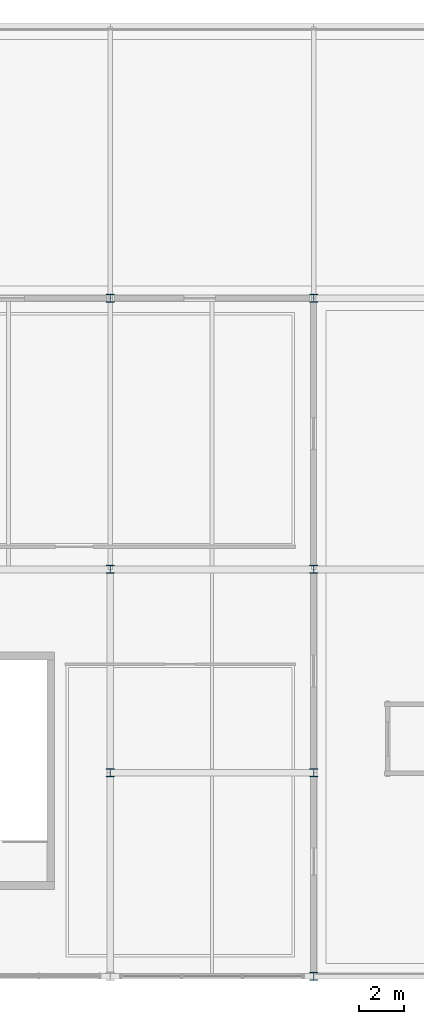
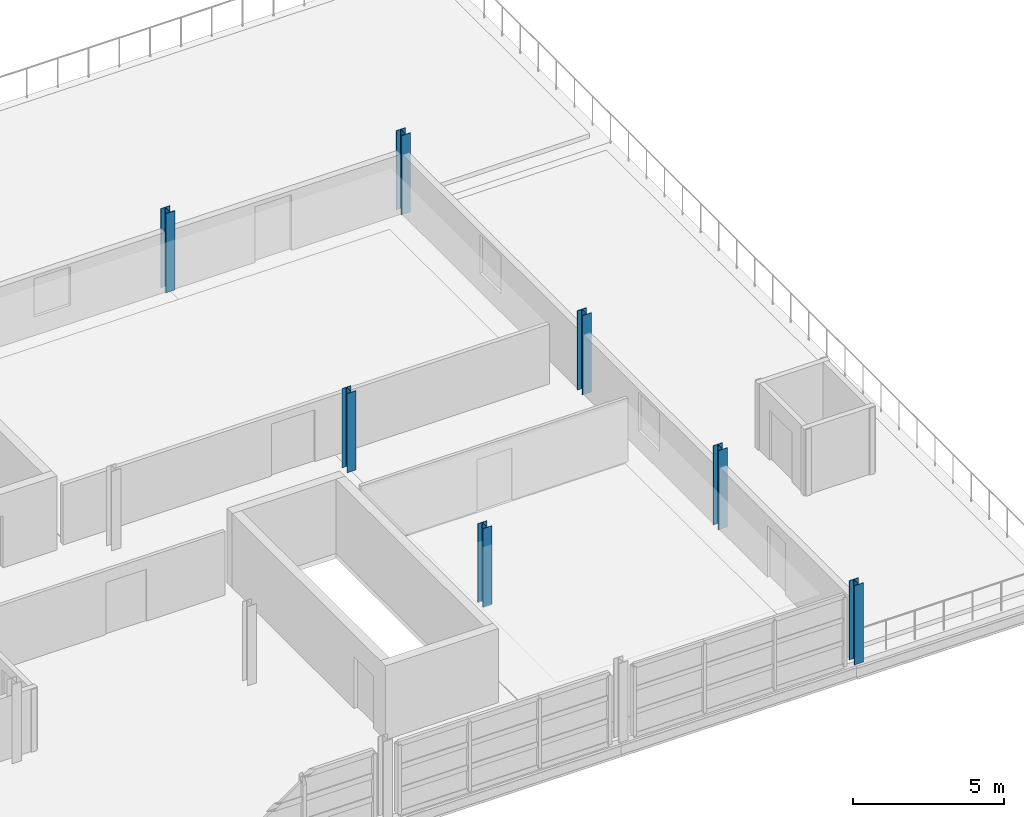
# One storey, part 3 of 86: 7 columns.
"""IFC4 building model written with IfcOpenShell, lengths in metres."""

from ifc_helpers import new_model, si_unit, direction, frame, origin, origin_2d, place, context, subcontext, project, spatial, i_section, extrude, material, material_profile, profile_set, type_object, element, save


model = new_model("IFC4")

# Units and contexts
model_context = context("Model", 3, precision=1e-05, world=origin(), true_north=direction((0.0, 1.0)))
body_context = subcontext(model_context, "Body", "Model", "MODEL_VIEW")
ifc_project = project(units=[si_unit("LENGTHUNIT", "METRE"), si_unit("AREAUNIT", "SQUARE_METRE"), si_unit("VOLUMEUNIT", "CUBIC_METRE"), si_unit("PLANEANGLEUNIT", "RADIAN"), si_unit("MASSUNIT", "GRAM", prefix="KILO")], contexts=[model_context])

# Site, building, storey
site_placement = place(None, origin())
site = spatial("IfcSite", under=ifc_project, at=site_placement, CompositionType="ELEMENT")
building_placement = place(site_placement, origin())
building = spatial("IfcBuilding", under=site, at=building_placement, Name="Chuanluo Vaults Station", CompositionType="ELEMENT")
storey_placement = place(building_placement, frame((0.0, 0.0, 14.39990234375)))
storey = spatial("IfcBuildingStorey", under=building, at=storey_placement, Name="L03", CompositionType="ELEMENT", Elevation=14.39990234375)

# Columns
ifc_material = material(Name="Steel Q355C", Category="steel")
ifc_material_profile = material_profile(ifc_material, i_section(OverallWidth=0.35009765625, OverallDepth=0.35009765625, WebThickness=0.011962890625, FlangeThickness=0.01904296875, FilletRadius=0.02001953125, at=origin_2d()))
ifc_profile_set = profile_set([ifc_material_profile], Name="Steel Q355C")
column_type = type_object("IfcColumnType", Name="COL-STL-HW350", PredefinedType="COLUMN", material=ifc_profile_set)
for number, where, z_axis, x_axis, name in (
    (1, (163.0, 9.0, 0.0), (0.0, 0.0, 1.0), (1.0, 0.0, 0.0), "Column L03-124"),
    (2, (163.0, 18.0, 0.0), (0.0, 0.0, 1.0), (1.0, 0.0, 0.0), "Column L03-125"),
    (3, (163.0, 30.0, 0.0), (0.0, 0.0, 1.0), (1.0, 0.0, 0.0), "Column L03-126"),
    (4, (172.0, 0.0, 0.0), (0.0, 0.0, 1.0), (1.0, 0.0, 0.0), "Column L03-136"),
    (5, (172.0, 9.0, 0.0), (0.0, 0.0, 1.0), (1.0, 0.0, 0.0), "Column L03-137"),
    (6, (172.0, 18.0, 0.0), (0.0, 0.0, 1.0), (1.0, 0.0, 0.0), "Column L03-138"),
    (7, (172.0, 30.0, 0.0), (0.0, 0.0, 1.0), (1.0, 0.0, 0.0), "Column L03-139"),
):
    element("IfcColumn", number, at=place(storey_placement, frame(where, z_axis=z_axis, x_axis=x_axis)), inside=storey, type_object=column_type, Name=name, PredefinedType="COLUMN", context=body_context, shape_type="SweptSolid", body=[
        extrude(i_section(OverallWidth=0.35009765625, OverallDepth=0.35009765625, WebThickness=0.011962890625, FlangeThickness=0.01904296875, FilletRadius=0.02001953125, at=origin_2d()), origin(), (0.0, 0.0, 1.0), 3.2001953125),
    ])

save(model, "model.ifc")
